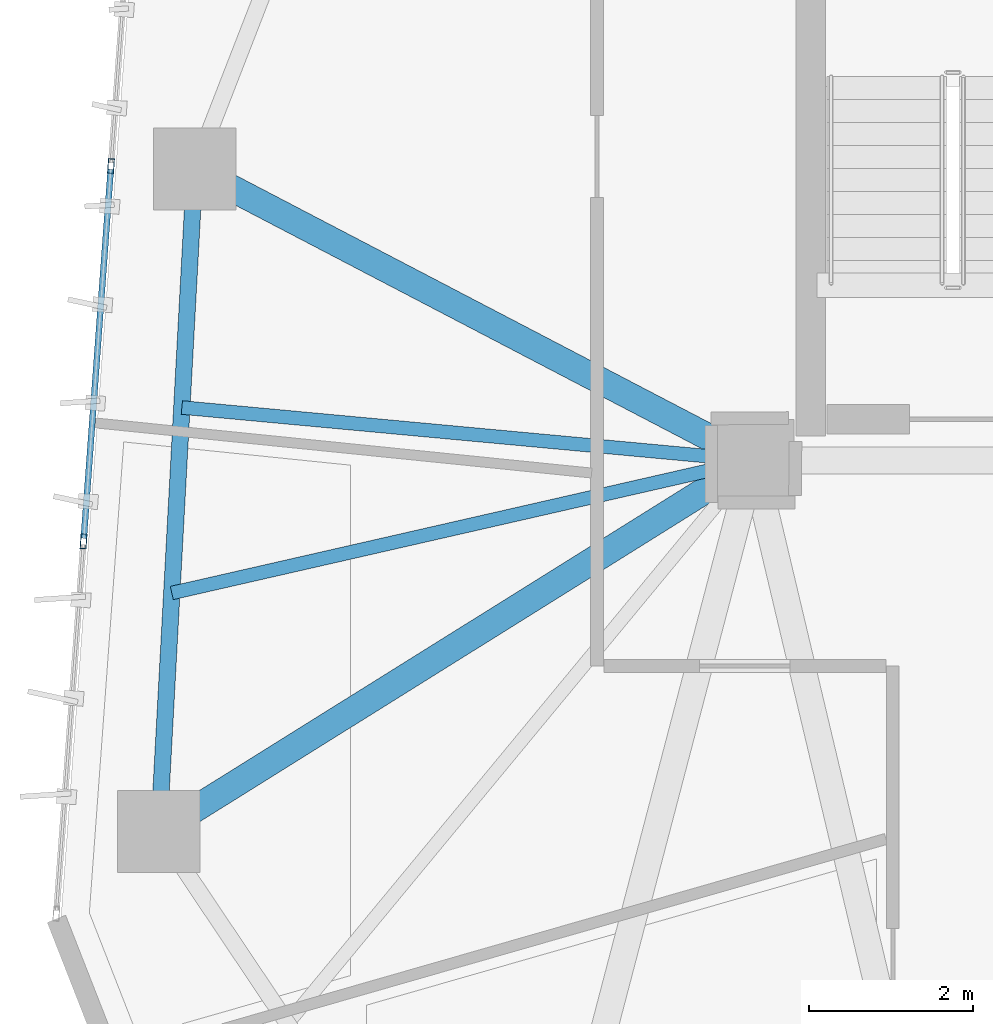
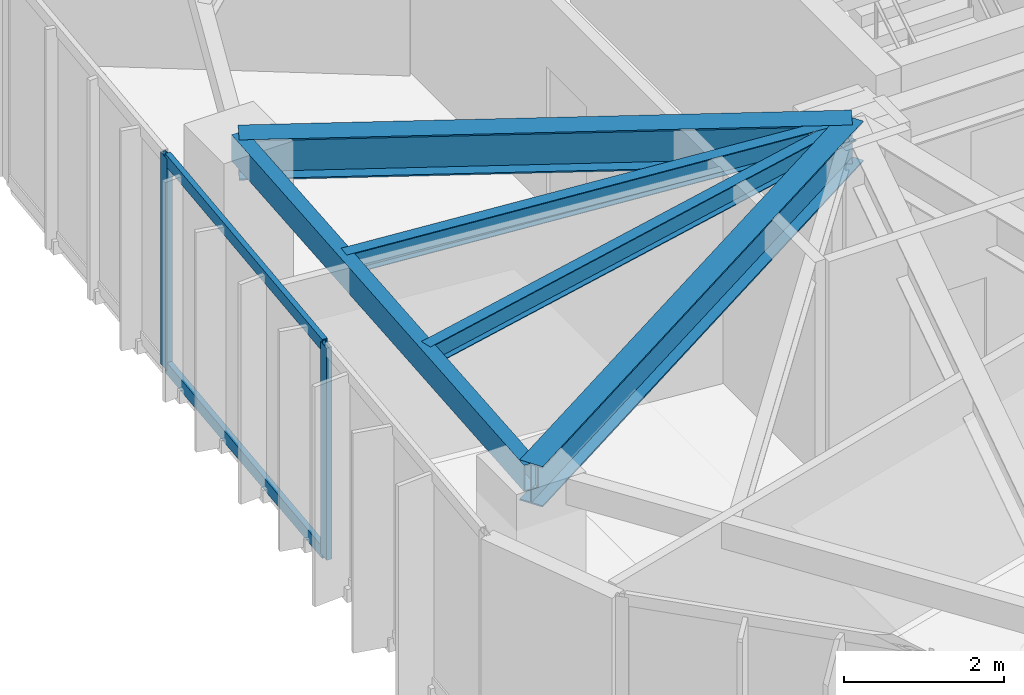
# One storey, part 7 of 19: 5 beams, 4 members, 1 element without a shape of its own.
"""IFC4 building model written with IfcOpenShell, lengths in metres."""

from ifc_helpers import new_model, si_unit, direction, frame, origin, origin_2d, place, context, subcontext, project, spatial, hollow_rectangle, i_section, extrude, source, transform, mapped, material, layer, layer_set, material_profile, profile_set, type_object, type_shapes, element, aggregate, save


model = new_model("IFC4")

# Units and contexts
model_context = context("Model", 3, precision=1e-05, world=origin(), true_north=direction((0.0, 1.0)))
body_context = subcontext(model_context, "Body", "Model", "MODEL_VIEW")
ifc_project = project(units=[si_unit("LENGTHUNIT", "METRE"), si_unit("AREAUNIT", "SQUARE_METRE"), si_unit("VOLUMEUNIT", "CUBIC_METRE"), si_unit("PLANEANGLEUNIT", "RADIAN"), si_unit("MASSUNIT", "GRAM", prefix="KILO")], contexts=[model_context])

# Site, building, storey
site_placement = place(None, origin())
site = spatial("IfcSite", under=ifc_project, at=site_placement, CompositionType="ELEMENT")
building_placement = place(site_placement, origin())
building = spatial("IfcBuilding", under=site, at=building_placement, Name="Talar Marvaseh", CompositionType="ELEMENT")
storey_placement = place(building_placement, frame((0.0, 0.0, 222.199951171875)))
storey = spatial("IfcBuildingStorey", under=building, at=storey_placement, Name="L58", CompositionType="ELEMENT", Elevation=222.199951171875)

# Beams
ifc_material_1 = material(Name="Steel S355", Category="steel")
ifc_material_profile_1 = material_profile(ifc_material_1, hollow_rectangle(XDim=0.199951171875, YDim=0.39990234375, WallThickness=0.013916015625, at=origin_2d()), Name="RHS400x200x14")
ifc_profile_set_1 = profile_set([ifc_material_profile_1], Name="Steel S355")
beam_type_1 = type_object("IfcBeamType", Name="Zone 3 Perimeter Spandrel Beam RHS400x200x14", PredefinedType="SPANDREL", material=ifc_profile_set_1)
beam_1_placement = place(storey_placement, frame((11.471923828125, 20.986083984375, 3.030029296875), z_axis=(0.054148078426, 0.998532916635, 0.0), x_axis=(-0.998532916635, 0.054148078426, 0.0)))
element("IfcBeam", 1, at=beam_1_placement, inside=storey, type_object=beam_type_1, Name="L58 Zone 3 Perimeter Spandrel Beam RHS400x200x14", PredefinedType="SPANDREL", context=body_context, shape_type="SweptSolid", body=[
    extrude(hollow_rectangle(XDim=0.199951171875, YDim=0.39990234375, WallThickness=0.013916015625, at=origin_2d()), origin(), (0.0, 0.0, 1.0), 8.070556640625),
])
ifc_material_profile_2 = material_profile(ifc_material_1, i_section(OverallWidth=0.324951171875, OverallDepth=0.615966796875, WebThickness=0.013916015625, FlangeThickness=0.021484375, at=origin_2d()), Name="W610x174")
ifc_profile_set_2 = profile_set([ifc_material_profile_2], Name="Steel S355")
beam_type_2 = type_object("IfcBeamType", Name="Zone 3 Radial Floor Girder W610x174", PredefinedType="BEAM", material=ifc_profile_set_2)
beam_2_placement = place(storey_placement, frame((11.471923828125, 20.986083984375, 2.922119140625), z_axis=(0.848188171212, 0.52969503133, 0.0), x_axis=(-0.52969503133, 0.848188171212, 0.0)))
element("IfcBeam", 2, at=beam_2_placement, inside=storey, type_object=beam_type_2, Name="L58 Zone 3 Radial Floor Girder W610x174", PredefinedType="BEAM", context=body_context, shape_type="SweptSolid", body=[
    extrude(i_section(OverallWidth=0.324951171875, OverallDepth=0.615966796875, WebThickness=0.013916015625, FlangeThickness=0.021484375, at=origin_2d()), origin(), (0.0, 0.0, 1.0), 8.521728515625),
])
beam_3_placement = place(storey_placement, frame((11.908935546875, 29.044921875, 2.922119140625), z_axis=(0.886489360055, -0.462748975697, 0.0), x_axis=(0.462748975697, 0.886489360055, 0.0)))
element("IfcBeam", 3, at=beam_3_placement, inside=storey, type_object=beam_type_2, Name="L58 Zone 3 Radial Floor Girder W610x174", PredefinedType="BEAM", context=body_context, shape_type="SweptSolid", body=[
    extrude(i_section(OverallWidth=0.324951171875, OverallDepth=0.615966796875, WebThickness=0.013916015625, FlangeThickness=0.021484375, at=origin_2d()), origin(), (0.0, 0.0, 1.0), 7.66064453125),
])
ifc_material_profile_3 = material_profile(ifc_material_1, i_section(OverallWidth=0.166015625, OverallDepth=0.31298828125, WebThickness=0.006591796875, FlangeThickness=0.01123046875, at=origin_2d()), Name="W310x45")
ifc_profile_set_3 = profile_set([ifc_material_profile_3], Name="Steel S355")
beam_type_3 = type_object("IfcBeamType", Name="Zone 3 Secondary Floor Joist W310x45", PredefinedType="JOIST", material=ifc_profile_set_3)
beam_4_placement = place(storey_placement, frame((11.62939453125, 23.88720703125, 3.073486328125), z_axis=(0.974958279205, 0.222387845462, 0.0), x_axis=(-0.222387845462, 0.974958279205, 0.0)))
element("IfcBeam", 4, at=beam_4_placement, inside=storey, type_object=beam_type_3, Name="L58 Zone 3 Secondary Floor Joist W310x45", PredefinedType="JOIST", context=body_context, shape_type="SweptSolid", body=[
    extrude(i_section(OverallWidth=0.166015625, OverallDepth=0.31298828125, WebThickness=0.006591796875, FlangeThickness=0.01123046875, at=origin_2d()), origin(), (0.0, 0.0, 1.0), 7.252197265625),
])
beam_5_placement = place(storey_placement, frame((11.751708984375, 26.143798828125, 3.073486328125), z_axis=(0.995734842854, -0.092261165868, 0.0), x_axis=(0.092261165868, 0.995734842854, 0.0)))
element("IfcBeam", 5, at=beam_5_placement, inside=storey, type_object=beam_type_3, Name="L58 Zone 3 Secondary Floor Joist W310x45", PredefinedType="JOIST", context=body_context, shape_type="SweptSolid", body=[
    extrude(i_section(OverallWidth=0.166015625, OverallDepth=0.31298828125, WebThickness=0.006591796875, FlangeThickness=0.01123046875, at=origin_2d()), origin(), (0.0, 0.0, 1.0), 6.97802734375),
])

# Curtain wall, members
ifc_material_2 = material(Name="Architectural Aluminium", Category="aluminium")
ifc_layer = layer(ifc_material_2, 0.18994140625)
ifc_layer_set = layer_set([ifc_layer], Name="Architectural Aluminium")
curtain_wall_type = type_object("IfcCurtainWallType", Name="Unitised Solar Atelier Curtain Wall Z3", PredefinedType="NOTDEFINED", material=ifc_layer_set)
curtain_wall_placement = place(storey_placement, origin())
curtain_wall = element("IfcCurtainWall", 6, at=curtain_wall_placement, inside=storey, type_object=curtain_wall_type, Name="L58 Unitised Solar Atelier Curtain Wall Z3", PredefinedType="NOTDEFINED")
ifc_material_profile_4 = material_profile(ifc_material_2, hollow_rectangle(XDim=0.074951171875, YDim=0.179931640625, WallThickness=0.0048828125, at=origin_2d()), Name="RHS180x75x5")
ifc_profile_set_4 = profile_set([ifc_material_profile_4], Name="Architectural Aluminium")
member_type_1 = type_object("IfcMemberType", Name="Unitised Curtain Wall Standard Mullion RHS180x75x5", PredefinedType="MULLION", material=ifc_profile_set_4)
shared_shape_1 = source(origin(), body_context, "Body", "SweptSolid", [
    extrude(hollow_rectangle(XDim=0.074951171875, YDim=0.179931640625, WallThickness=0.0048828125, at=origin_2d()), origin(), (0.0, 0.0, 1.0), 3.22998046875),
])
type_shapes(member_type_1, [shared_shape_1])
member_1_placement = place(storey_placement, frame((10.555908203125, 24.51513671875, 0.0), z_axis=(0.0, 0.0, 1.0), x_axis=(-0.99733736785, 0.072925816354, 0.0)))
member_1 = element("IfcMember", 7, at=member_1_placement, type_object=member_type_1, Name="CW-Z3 mullion 2", PredefinedType="MULLION", context=body_context, shape_type="MappedRepresentation", body=[
    mapped(shared_shape_1, transform((0.0, 0.0, 0.0), x_axis=(1.0, 0.0, 0.0), y_axis=(0.0, 1.0, 0.0), z_axis=(0.0, 0.0, 1.0), scale=1.0)),
])
member_2_placement = place(storey_placement, frame((10.8896484375, 29.080078125, 0.0), z_axis=(0.0, 0.0, 1.0), x_axis=(-0.99733736785, 0.072925816354, 0.0)))
member_2 = element("IfcMember", 8, at=member_2_placement, type_object=member_type_1, Name="CW-Z3 mullion 3", PredefinedType="MULLION", context=body_context, shape_type="MappedRepresentation", body=[
    mapped(shared_shape_1, transform((0.0, 0.0, 0.0), x_axis=(1.0, 0.0, 0.0), y_axis=(0.0, 1.0, 0.0), z_axis=(0.0, 0.0, 1.0), scale=1.0)),
])
ifc_material_profile_5 = material_profile(ifc_material_2, hollow_rectangle(XDim=0.074951171875, YDim=0.179931640625, WallThickness=0.0048828125, at=origin_2d()), Name="RHS180x75x5")
ifc_profile_set_5 = profile_set([ifc_material_profile_5], Name="Architectural Aluminium")
member_type_2 = type_object("IfcMemberType", Name="Unitised Curtain Wall Transom RHS180x75x5", PredefinedType="USERDEFINED", material=ifc_profile_set_5)
shared_shape_2 = source(origin(), body_context, "Body", "SweptSolid", [
    extrude(hollow_rectangle(XDim=0.074951171875, YDim=0.179931640625, WallThickness=0.0048828125, at=origin_2d()), origin(), (0.0, 0.0, 1.0), 4.502197265625),
])
type_shapes(member_type_2, [shared_shape_2])
member_3_placement = place(storey_placement, frame((10.55859375, 24.552490234375, 0.03759765625), z_axis=(0.072934855953, 0.997336706828, 0.0), x_axis=(-0.997336706828, 0.072934855953, 0.0)))
member_3 = element("IfcMember", 9, at=member_3_placement, type_object=member_type_2, Name="CW-Z3 transom 2.1", ObjectType="TRANSOM", PredefinedType="USERDEFINED", context=body_context, shape_type="MappedRepresentation", body=[
    mapped(shared_shape_2, transform((0.0, 0.0, 0.0), x_axis=(1.0, 0.0, 0.0), y_axis=(0.0, 1.0, 0.0), z_axis=(0.0, 0.0, 1.0), scale=1.0)),
])
member_4_placement = place(storey_placement, frame((10.55859375, 24.552490234375, 3.192626953125), z_axis=(0.072934855953, 0.997336706828, 0.0), x_axis=(-0.997336706828, 0.072934855953, 0.0)))
member_4 = element("IfcMember", 10, at=member_4_placement, type_object=member_type_2, Name="CW-Z3 transom 2.2", ObjectType="TRANSOM", PredefinedType="USERDEFINED", context=body_context, shape_type="MappedRepresentation", body=[
    mapped(shared_shape_2, transform((0.0, 0.0, 0.0), x_axis=(1.0, 0.0, 0.0), y_axis=(0.0, 1.0, 0.0), z_axis=(0.0, 0.0, 1.0), scale=1.0)),
])
aggregate(curtain_wall, [member_1, member_2, member_3, member_4])

save(model, "model.ifc")
